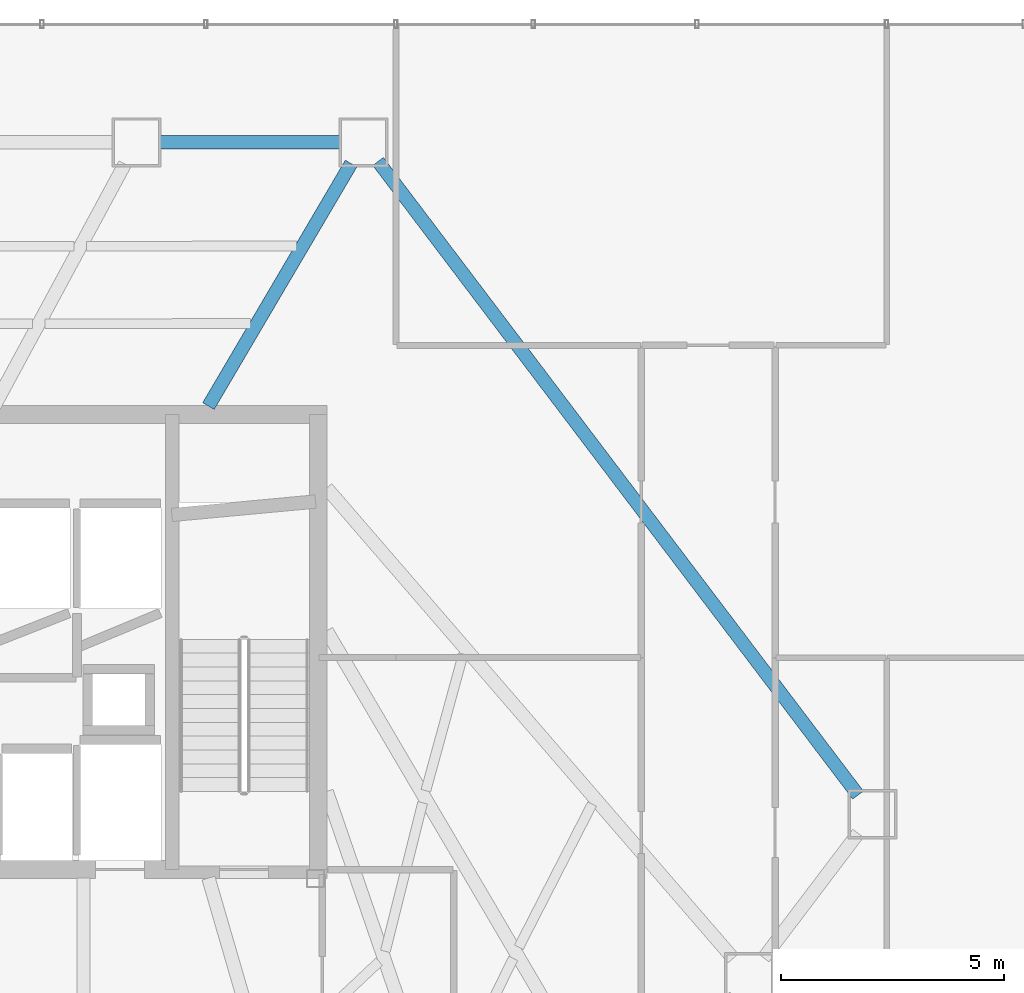
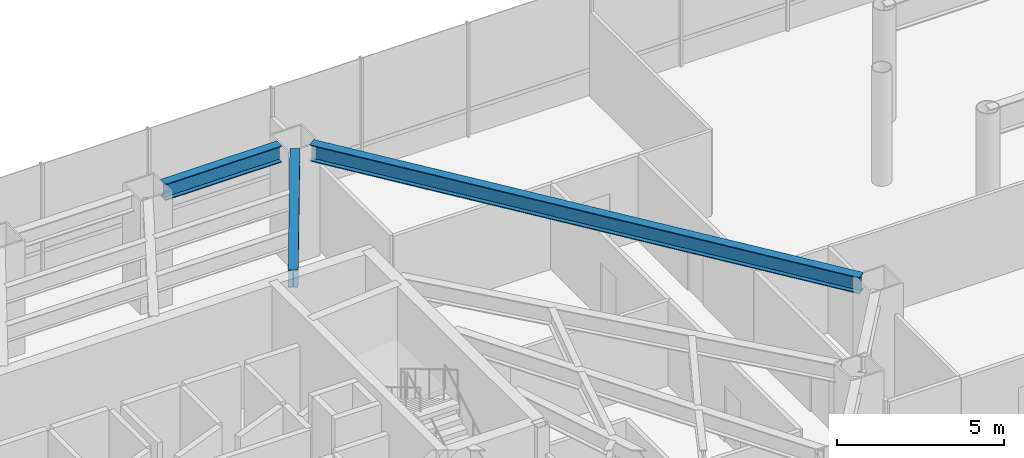
# One storey, part 26 of 43: 3 beams.
"""IFC4 building model written with IfcOpenShell, lengths in metres."""

import ifcopenshell
import ifcopenshell.guid

model = None  # the IFC model being written
_history = None  # IfcOwnerHistory: only IFC2X3 demands one
_inside = {}  # id of a spatial element -> (the spatial element, [elements in it])
_under = {}  # id of a project, library or spatial element -> (it, [spatial elements below it])
_declared = {}  # id of a project -> (the project, [libraries it declares])
_typed = {}  # id of a type object -> (the type object, [elements of that type])
_made_of = {}  # id of a material, layer set ... -> (it, [elements and type objects made of it])


def new_model(schema):
    """Start an empty IFC model of exactly this schema.

    Asked for "IFC4X3", IfcOpenShell would pick the latest addendum, in which some entities
    have other attributes; the version numbers below select the first issue.
    IFC2X3 requires an IfcOwnerHistory on every rooted entity: one is made here for all.
    """
    global model, _history
    if schema == "IFC4X3":
        model = ifcopenshell.file(schema_version=(4, 3, 0, 0))
    else:
        model = ifcopenshell.file(schema=schema)
    _inside.clear()
    _under.clear()
    _declared.clear()
    _typed.clear()
    _made_of.clear()
    _history = None
    if model.schema == "IFC2X3":
        org = make("IfcOrganization", Name="unknown")
        user = make(
            "IfcPersonAndOrganization",
            ThePerson=make("IfcPerson", FamilyName="unknown"),
            TheOrganization=org,
        )
        app = make(
            "IfcApplication",
            ApplicationDeveloper=org,
            Version="unknown",
            ApplicationFullName="unknown",
            ApplicationIdentifier="unknown",
        )
        _history = make(
            "IfcOwnerHistory",
            OwningUser=user,
            OwningApplication=app,
            ChangeAction="ADDED",
            CreationDate=0,
        )
    return model


def make(cls, **values):
    """One entity of the class cls with the attributes given. An attribute that is None is left unset."""
    return model.create_entity(
        cls, **{name: value for name, value in values.items() if value is not None}
    )


def rooted(cls, **values):
    """An entity with a GlobalId (a new one), such as an element, a storey or a relation."""
    return make(cls, GlobalId=ifcopenshell.guid.new(), OwnerHistory=_history, **values)


def si_unit(unit_type, name, prefix=None):
    """IfcSIUnit, for example si_unit("LENGTHUNIT", "METRE", prefix="MILLI")."""
    return make("IfcSIUnit", UnitType=unit_type, Prefix=prefix, Name=name)


def assignment(units):
    """IfcUnitAssignment: the units of a project."""
    return None if units is None else make("IfcUnitAssignment", Units=units)


def point(xyz):
    """IfcCartesianPoint."""
    return None if xyz is None else make("IfcCartesianPoint", Coordinates=xyz)


def direction(xyz):
    """IfcDirection."""
    return None if xyz is None else make("IfcDirection", DirectionRatios=xyz)


def frame(location, z_axis=None, x_axis=None):
    """IfcAxis2Placement3D, a coordinate frame: its origin and axes. An axis left out is left unset."""
    return make(
        "IfcAxis2Placement3D",
        Location=point(location),
        Axis=direction(z_axis),
        RefDirection=direction(x_axis),
    )


def frame_2d(location, x_axis=None):
    """IfcAxis2Placement2D, a coordinate frame in the plane: its origin and x axis."""
    return make(
        "IfcAxis2Placement2D", Location=point(location), RefDirection=direction(x_axis)
    )


def origin():
    """The frame at (0, 0, 0) with its axes left unset."""
    return frame((0.0, 0.0, 0.0))


def origin_2d():
    """The frame at (0, 0) in the plane with its x axis left unset."""
    return frame_2d((0.0, 0.0))


def place(relative_to, where):
    """IfcLocalPlacement: puts the frame where relative to a parent placement (None: the world)."""
    return make(
        "IfcLocalPlacement", PlacementRelTo=relative_to, RelativePlacement=where
    )


def context(
    kind, dimensions, precision=None, world=None, true_north=None, identifier=None
):
    """IfcGeometricRepresentationContext, for example the 3D "Model" context."""
    return make(
        "IfcGeometricRepresentationContext",
        ContextIdentifier=identifier,
        ContextType=kind,
        CoordinateSpaceDimension=dimensions,
        Precision=precision,
        WorldCoordinateSystem=world,
        TrueNorth=true_north,
    )


def subcontext(parent, identifier, kind, view, scale=None):
    """IfcGeometricRepresentationSubContext, for example "Body" below "Model"."""
    return make(
        "IfcGeometricRepresentationSubContext",
        ContextIdentifier=identifier,
        ContextType=kind,
        ParentContext=parent,
        TargetScale=scale,
        TargetView=view,
    )


def project(units=None, contexts=None):
    """IfcProject with its units and contexts."""
    return rooted(
        "IfcProject",
        Name="project",
        RepresentationContexts=contexts,
        UnitsInContext=assignment(units),
    )


def spatial(cls, under=None, at=None, **own):
    """A site, building, storey or space (cls), placed at a placement, below another one or the project."""
    s = rooted(cls, ObjectPlacement=at, **own)
    if under is not None:
        _under.setdefault(under.id(), (under, []))[1].append(s)
    return s


def profile(cls, at=None, kind="AREA", **sizes):
    """A parametric profile (cls). Its sizes go by their IFC names, for example OverallWidth=200.0."""
    return make(cls, ProfileType=kind, Position=at, **sizes)


def i_section(**sizes):
    """IfcIShapeProfileDef."""
    return profile("IfcIShapeProfileDef", **sizes)


def extrude(swept, where, along, depth):
    """IfcExtrudedAreaSolid: the profile swept, set in the frame where, extruded along a direction by depth."""
    return make(
        "IfcExtrudedAreaSolid",
        SweptArea=swept,
        Position=where,
        ExtrudedDirection=direction(along),
        Depth=depth,
    )


def shape(context_of_items, identifier, shape_type, items):
    """IfcShapeRepresentation: the items that make up one representation, for example the "Body"."""
    return make(
        "IfcShapeRepresentation",
        ContextOfItems=context_of_items,
        RepresentationIdentifier=identifier,
        RepresentationType=shape_type,
        Items=items,
    )


def material(Name=None, Category=None):
    """IfcMaterial."""
    return make("IfcMaterial", Name=Name, Category=Category)


def material_profile(
    of_material, cross_section, Name=None, Category=None, Priority=None
):
    """IfcMaterialProfile: a cross section and its material."""
    return make(
        "IfcMaterialProfile",
        Name=Name,
        Material=of_material,
        Profile=cross_section,
        Priority=Priority,
        Category=Category,
    )


def profile_set(profiles, Name=None, composite=None):
    """IfcMaterialProfileSet."""
    return make(
        "IfcMaterialProfileSet",
        Name=Name,
        MaterialProfiles=profiles,
        CompositeProfile=composite,
    )


def made_of(thing, what):
    """Note that an element or type object is made of a material, layer set ...; save() writes the relation."""
    if what is not None:
        _made_of.setdefault(what.id(), (what, []))[1].append(thing)
    return thing


def type_object(cls, material=None, **own):
    """A type object (cls), such as IfcWallType, which elements share."""
    return made_of(rooted(cls, **own), material)


def element(
    cls,
    number,
    at=None,
    inside=None,
    cuts=None,
    type_object=None,
    material=None,
    context=None,
    identifier="Body",
    shape_type=None,
    held_by="IfcProductDefinitionShape",
    body=None,
    shapes=None,
    **own,
):
    """One element of the class cls, such as IfcWall. Its Tag is "e" and its number.

    at: its placement. inside: the storey or other place that contains it. cuts: it is an
    opening in that element (IfcRelVoidsElement). A single representation is given by context,
    identifier, shape_type and body (its items); several are given by shapes. held_by: the class
    of the entity that holds the representations. save() writes the other relations.
    """
    e = rooted(cls, Tag="e%d" % number, ObjectPlacement=at, **own)
    if body is not None:
        shapes = [shape(context, identifier, shape_type, body)]
    if shapes is not None:
        e.Representation = make(held_by, Representations=shapes)
    if inside is not None:
        _inside.setdefault(inside.id(), (inside, []))[1].append(e)
    if cuts is not None:
        rooted(
            "IfcRelVoidsElement", RelatingBuildingElement=cuts, RelatedOpeningElement=e
        )
    if type_object is not None:
        _typed.setdefault(type_object.id(), (type_object, []))[1].append(e)
    return made_of(e, material)


def aggregate(whole, parts):
    """IfcRelAggregates: a whole, such as a stair, and the parts it consists of."""
    return rooted("IfcRelAggregates", RelatingObject=whole, RelatedObjects=parts)


def save(model, path):
    """Write the relations noted so far, then the file.

    IfcRelAggregates (storeys below a building ...), IfcRelContainedInSpatialStructure (elements
    in a storey), IfcRelDefinesByType, IfcRelAssociatesMaterial and IfcRelDeclares: one each for
    every whole, place, type object, material and project.
    """
    for whole, parts in _under.values():
        aggregate(whole, parts)
    for where, things in _inside.values():
        rooted(
            "IfcRelContainedInSpatialStructure",
            RelatedElements=things,
            RelatingStructure=where,
        )
    for kind, things in _typed.values():
        rooted("IfcRelDefinesByType", RelatedObjects=things, RelatingType=kind)
    for what, things in _made_of.values():
        rooted("IfcRelAssociatesMaterial", RelatedObjects=things, RelatingMaterial=what)
    for by, libraries in _declared.values():
        rooted("IfcRelDeclares", RelatingContext=by, RelatedDefinitions=libraries)
    model.write(path)


model = new_model("IFC4")

# Units and contexts
model_context = context("Model", 3, precision=1e-05, world=origin(), true_north=direction((0.0, 1.0)))
body_context = subcontext(model_context, "Body", "Model", "MODEL_VIEW")
ifc_project = project(units=[si_unit("LENGTHUNIT", "METRE"), si_unit("AREAUNIT", "SQUARE_METRE"), si_unit("VOLUMEUNIT", "CUBIC_METRE"), si_unit("PLANEANGLEUNIT", "RADIAN"), si_unit("MASSUNIT", "GRAM", prefix="KILO")], contexts=[model_context])

# Site, building, storey
site_placement = place(None, origin())
site = spatial("IfcSite", under=ifc_project, at=site_placement, CompositionType="ELEMENT")
building_placement = place(site_placement, origin())
building = spatial("IfcBuilding", under=site, at=building_placement, Name="Zarrinselat Tower", CompositionType="ELEMENT")
storey_placement = place(building_placement, frame((0.0, 0.0, 5.10009765625)))
storey = spatial("IfcBuildingStorey", under=building, at=storey_placement, Name="L01", CompositionType="ELEMENT", Elevation=5.10009765625)

# Beams
ifc_material_1 = material(Name="Steel S355J2", Category="steel")
ifc_material_profile_1 = material_profile(ifc_material_1, i_section(OverallWidth=0.300048828125, OverallDepth=0.60009765625, WebThickness=0.015380859375, FlangeThickness=0.030029296875, at=origin_2d()), Name="HEB 600")
ifc_profile_set_1 = profile_set([ifc_material_profile_1], Name="Steel S355J2")
beam_type_1 = type_object("IfcBeamType", Name="BM-HEB600", PredefinedType="BEAM", material=ifc_profile_set_1)
beam_1_placement = place(storey_placement, frame((44.7265625, 49.550048828125, 3.83984375), z_axis=(1.0, 0.0, 0.0), x_axis=(0.0, 1.0, 0.0)))
element("IfcBeam", 1, at=beam_1_placement, inside=storey, type_object=beam_type_1, Name="L01 Perimeter Spandrel Girder SP01", PredefinedType="BEAM", context=body_context, shape_type="SweptSolid", body=[
    extrude(i_section(OverallWidth=0.300048828125, OverallDepth=0.60009765625, WebThickness=0.015380859375, FlangeThickness=0.030029296875, at=origin_2d()), origin(), (0.0, 0.0, 1.0), 4.012451171875),
])
beam_2_placement = place(storey_placement, frame((49.601806640625, 49.12109375, 3.83984375), z_axis=(0.603860854183, -0.797089749517, 0.0), x_axis=(0.797089749517, 0.603860854183, 0.0)))
element("IfcBeam", 2, at=beam_2_placement, inside=storey, type_object=beam_type_1, Name="L01 Perimeter Spandrel Girder SP15", PredefinedType="BEAM", context=body_context, shape_type="SweptSolid", body=[
    extrude(i_section(OverallWidth=0.300048828125, OverallDepth=0.60009765625, WebThickness=0.015380859375, FlangeThickness=0.030029296875, at=origin_2d()), origin(), (0.0, 0.0, 1.0), 17.81494140625),
])
ifc_material_2 = material(Name="Steel S355J2", Category="steel")
ifc_material_profile_2 = material_profile(ifc_material_2, i_section(OverallWidth=0.300048828125, OverallDepth=0.64990234375, WebThickness=0.01611328125, FlangeThickness=0.031005859375, at=origin_2d()), Name="HEB 650")
ifc_profile_set_2 = profile_set([ifc_material_profile_2], Name="Steel S355J2")
beam_type_2 = type_object("IfcBeamType", Name="BM-HEB650", PredefinedType="BEAM", material=ifc_profile_set_2)
beam_3_placement = place(storey_placement, frame((45.800048828125, 43.639892578125, 3.81494140625), z_axis=(0.5070624313, 0.861909328621, 0.0), x_axis=(-0.861909328621, 0.5070624313, 0.0)))
element("IfcBeam", 3, at=beam_3_placement, inside=storey, type_object=beam_type_2, Name="L01 Radial Primary Girder RG01", PredefinedType="BEAM", context=body_context, shape_type="SweptSolid", body=[
    extrude(i_section(OverallWidth=0.300048828125, OverallDepth=0.64990234375, WebThickness=0.01611328125, FlangeThickness=0.031005859375, at=origin_2d()), origin(), (0.0, 0.0, 1.0), 6.304931640625),
])

save(model, "model.ifc")
